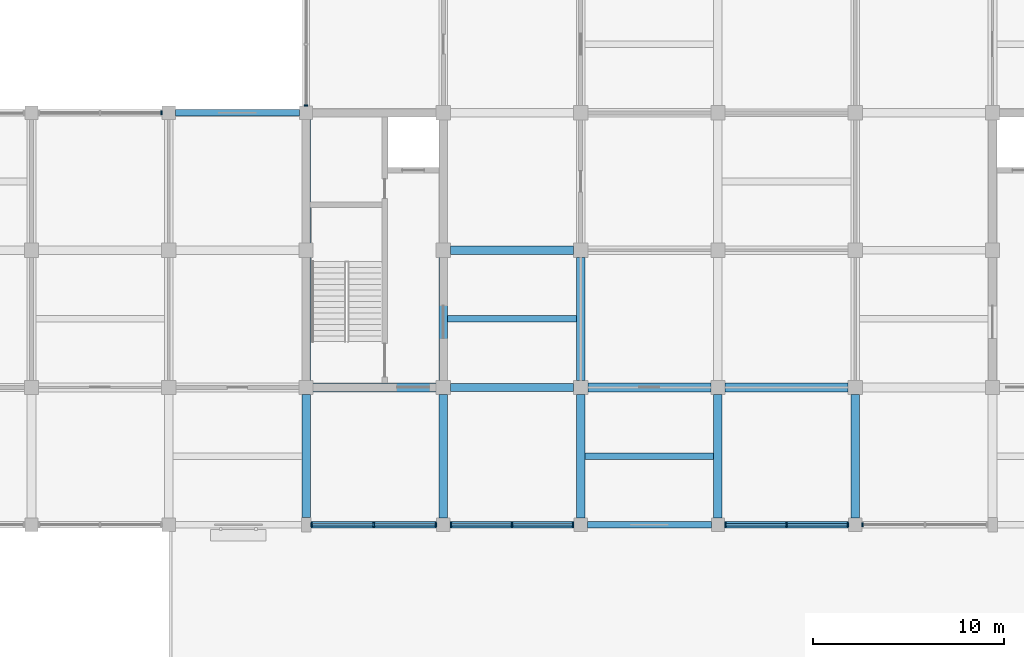
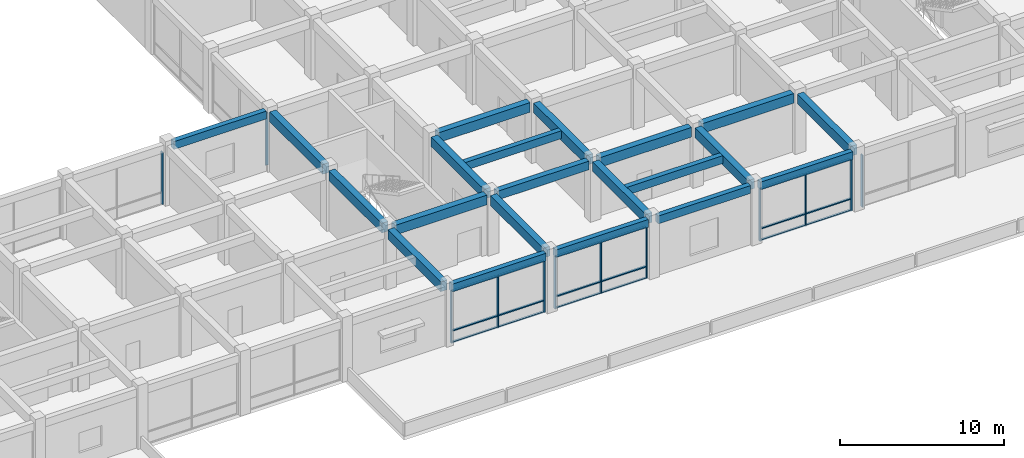
# One storey, part 5 of 30: 30 members, 21 beams, 6 elements without a shape of their own.
"""IFC4 building model written with IfcOpenShell, lengths in metres."""

from ifc_helpers import new_model, si_unit, direction, frame, origin, origin_2d, place, context, subcontext, project, spatial, rectangle, extrude, material, layer, layer_set, material_profile, profile_set, type_object, element, aggregate, save


model = new_model("IFC4")

# Units and contexts
model_context = context("Model", 3, precision=1e-05, world=origin(), true_north=direction((0.0, 1.0)))
body_context = subcontext(model_context, "Body", "Model", "MODEL_VIEW")
ifc_project = project(units=[si_unit("LENGTHUNIT", "METRE"), si_unit("AREAUNIT", "SQUARE_METRE"), si_unit("VOLUMEUNIT", "CUBIC_METRE"), si_unit("PLANEANGLEUNIT", "RADIAN"), si_unit("MASSUNIT", "GRAM", prefix="KILO")], contexts=[model_context])

# Site, building, storey
site_placement = place(None, origin())
site = spatial("IfcSite", under=ifc_project, at=site_placement, CompositionType="ELEMENT")
building_placement = place(site_placement, origin())
building = spatial("IfcBuilding", under=site, at=building_placement, Name="Cendaluz Park School", CompositionType="ELEMENT")
storey_placement = place(building_placement, frame((0.0, 0.0, 9.60009765625)))
storey = spatial("IfcBuildingStorey", under=building, at=storey_placement, Name="L02", CompositionType="ELEMENT", Elevation=9.60009765625)

# Beams
ifc_material_1 = material(Name="Concrete C40/50", Category="concrete")
ifc_material_profile_1 = material_profile(ifc_material_1, rectangle(XDim=0.449951171875, YDim=0.719970703125, at=origin_2d()), Name="RC 450x720", Category="concrete")
ifc_profile_set_1 = profile_set([ifc_material_profile_1], Name="Concrete C40/50")
beam_type_1 = type_object("IfcBeamType", Name="BM-RC02", PredefinedType="BEAM", material=ifc_profile_set_1)
for number, where, z_axis, x_axis, name in (
    (1, (65.175048828125, 14.39990234375, 4.099853515625), (1.0, 0.0, 0.0), (0.0, 1.0, 0.0), "BM-L02-BMRC02-0037"),
    (2, (72.375, 21.60009765625, 4.099853515625), (1.0, 0.0, 0.0), (0.0, 1.0, 0.0), "BM-L02-BMRC02-0046"),
    (3, (79.574951171875, 14.39990234375, 4.099853515625), (1.0, 0.0, 0.0), (0.0, 1.0, 0.0), "BM-L02-BMRC02-0055"),
):
    element("IfcBeam", number, at=place(storey_placement, frame(where, z_axis=z_axis, x_axis=x_axis)), inside=storey, type_object=beam_type_1, Name=name, PredefinedType="BEAM", context=body_context, shape_type="SweptSolid", body=[
        extrude(rectangle(XDim=0.449951171875, YDim=0.719970703125, at=origin_2d()), origin(), (0.0, 0.0, 1.0), 6.449951171875),
    ])
beam_1_placement = place(storey_placement, frame((86.77490234375, 14.39990234375, 4.099853515625), z_axis=(1.0, 0.0, 0.0), x_axis=(0.0, 1.0, 0.0)))
element("IfcBeam", 4, at=beam_1_placement, inside=storey, type_object=beam_type_1, Name="BM-L02-BMRC02-0065", PredefinedType="BEAM", context=body_context, shape_type="SweptSolid", body=[
    extrude(rectangle(XDim=0.449951171875, YDim=0.719970703125, at=origin_2d()), origin(), (0.0, 0.0, 1.0), 6.4501953125),
])
beam_2_placement = place(storey_placement, frame((64.800048828125, 7.574951171875, 4.099853515625), z_axis=(0.0, 1.0, 0.0), x_axis=(-1.0, 0.0, 0.0)))
element("IfcBeam", 5, at=beam_2_placement, inside=storey, type_object=beam_type_1, Name="BM-L02-BMRC02-0154", PredefinedType="BEAM", context=body_context, shape_type="SweptSolid", body=[
    extrude(rectangle(XDim=0.449951171875, YDim=0.719970703125, at=origin_2d()), origin(), (0.0, 0.0, 1.0), 6.449951171875),
])
beam_3_placement = place(storey_placement, frame((64.800048828125, 14.77490234375, 4.099853515625), z_axis=(0.0, 1.0, 0.0), x_axis=(-1.0, 0.0, 0.0)))
element("IfcBeam", 6, at=beam_3_placement, inside=storey, type_object=beam_type_1, Name="BM-L02-BMRC02-0155", PredefinedType="BEAM", context=body_context, shape_type="SweptSolid", body=[
    extrude(rectangle(XDim=0.449951171875, YDim=0.719970703125, at=origin_2d()), origin(), (0.0, 0.0, 1.0), 6.4501953125),
])
for number, where, z_axis, x_axis, name in (
    (7, (64.800048828125, 21.97509765625, 4.099853515625), (0.0, 1.0, 0.0), (-1.0, 0.0, 0.0), "BM-L02-BMRC02-0156"),
    (8, (72.0, 7.550048828125, 4.099853515625), (0.0, 1.0, 0.0), (-1.0, 0.0, 0.0), "BM-L02-BMRC02-0163"),
):
    element("IfcBeam", number, at=place(storey_placement, frame(where, z_axis=z_axis, x_axis=x_axis)), inside=storey, type_object=beam_type_1, Name=name, PredefinedType="BEAM", context=body_context, shape_type="SweptSolid", body=[
        extrude(rectangle(XDim=0.449951171875, YDim=0.719970703125, at=origin_2d()), origin(), (0.0, 0.0, 1.0), 6.474853515625),
    ])
beam_4_placement = place(storey_placement, frame((72.0, 14.77490234375, 4.099853515625), z_axis=(0.0, 1.0, 0.0), x_axis=(-1.0, 0.0, 0.0)))
element("IfcBeam", 9, at=beam_4_placement, inside=storey, type_object=beam_type_1, Name="BM-L02-BMRC02-0164", PredefinedType="BEAM", context=body_context, shape_type="SweptSolid", body=[
    extrude(rectangle(XDim=0.449951171875, YDim=0.719970703125, at=origin_2d()), origin(), (0.0, 0.0, 1.0), 6.4501953125),
])
beam_5_placement = place(storey_placement, frame((79.199951171875, 7.550048828125, 4.099853515625), z_axis=(0.0, 1.0, 0.0), x_axis=(-1.0, 0.0, 0.0)))
element("IfcBeam", 10, at=beam_5_placement, inside=storey, type_object=beam_type_1, Name="BM-L02-BMRC02-0172", PredefinedType="BEAM", context=body_context, shape_type="SweptSolid", body=[
    extrude(rectangle(XDim=0.449951171875, YDim=0.719970703125, at=origin_2d()), origin(), (0.0, 0.0, 1.0), 6.474853515625),
])
beam_6_placement = place(storey_placement, frame((79.199951171875, 14.77490234375, 4.099853515625), z_axis=(0.0, 1.0, 0.0), x_axis=(-1.0, 0.0, 0.0)))
element("IfcBeam", 11, at=beam_6_placement, inside=storey, type_object=beam_type_1, Name="BM-L02-BMRC02-0173", PredefinedType="BEAM", context=body_context, shape_type="SweptSolid", body=[
    extrude(rectangle(XDim=0.449951171875, YDim=0.719970703125, at=origin_2d()), origin(), (0.0, 0.0, 1.0), 6.4501953125),
])
for number, where, z_axis, x_axis, name in (
    (12, (86.39990234375, 7.550048828125, 4.099853515625), (0.0, 1.0, 0.0), (-1.0, 0.0, 0.0), "BM-L02-BMRC02-0181"),
    (13, (93.60009765625, 7.550048828125, 4.099853515625), (0.0, 1.0, 0.0), (-1.0, 0.0, 0.0), "BM-L02-BMRC02-0190"),
):
    element("IfcBeam", number, at=place(storey_placement, frame(where, z_axis=z_axis, x_axis=x_axis)), inside=storey, type_object=beam_type_1, Name=name, PredefinedType="BEAM", context=body_context, shape_type="SweptSolid", body=[
        extrude(rectangle(XDim=0.449951171875, YDim=0.719970703125, at=origin_2d()), origin(), (0.0, 0.0, 1.0), 6.474853515625),
    ])
ifc_material_profile_2 = material_profile(ifc_material_1, rectangle(XDim=0.39990234375, YDim=0.64990234375, at=origin_2d()), Name="RC 400x650", Category="concrete")
ifc_profile_set_2 = profile_set([ifc_material_profile_2], Name="Concrete C40/50")
beam_type_2 = type_object("IfcBeamType", Name="BM-RC03", PredefinedType="T_BEAM", material=ifc_profile_set_2)
beam_7_placement = place(storey_placement, frame((72.375, 14.39990234375, 4.135009765625), z_axis=(1.0, 0.0, 0.0), x_axis=(0.0, 1.0, 0.0)))
element("IfcBeam", 14, at=beam_7_placement, inside=storey, type_object=beam_type_2, Name="BM-L02-BMRC03-0045", PredefinedType="T_BEAM", context=body_context, shape_type="SweptSolid", body=[
    extrude(rectangle(XDim=0.39990234375, YDim=0.64990234375, at=origin_2d()), origin(), (0.0, 0.0, 1.0), 6.449951171875),
])
ifc_material_profile_3 = material_profile(ifc_material_1, rectangle(XDim=0.35009765625, YDim=0.580078125, at=origin_2d()), Name="RC 350x580", Category="concrete")
ifc_profile_set_3 = profile_set([ifc_material_profile_3], Name="Concrete C40/50")
beam_type_3 = type_object("IfcBeamType", Name="BM-RC04", PredefinedType="LINTEL", material=ifc_profile_set_3)
beam_8_placement = place(storey_placement, frame((57.949951171875, 28.800048828125, 4.169921875), z_axis=(1.0, 0.0, 0.0), x_axis=(0.0, 1.0, 0.0)))
element("IfcBeam", 15, at=beam_8_placement, inside=storey, type_object=beam_type_3, Name="BM-L02-BMRC04-0035", PredefinedType="LINTEL", context=body_context, shape_type="SweptSolid", body=[
    extrude(rectangle(XDim=0.35009765625, YDim=0.580078125, at=origin_2d()), origin(), (0.0, 0.0, 1.0), 6.5),
])
beam_9_placement = place(storey_placement, frame((65.050048828125, 7.199951171875, 4.169921875), z_axis=(1.0, 0.0, 0.0), x_axis=(0.0, 1.0, 0.0)))
element("IfcBeam", 16, at=beam_9_placement, inside=storey, type_object=beam_type_3, Name="BM-L02-BMRC04-0036", PredefinedType="LINTEL", context=body_context, shape_type="SweptSolid", body=[
    extrude(rectangle(XDim=0.35009765625, YDim=0.580078125, at=origin_2d()), origin(), (0.0, 0.0, 1.0), 6.599853515625),
])
for number, where, z_axis, x_axis, name in (
    (17, (72.35009765625, 7.199951171875, 4.169921875), (1.0, 0.0, 0.0), (0.0, 1.0, 0.0), "BM-L02-BMRC04-0044"),
    (18, (79.550048828125, 7.199951171875, 4.169921875), (1.0, 0.0, 0.0), (0.0, 1.0, 0.0), "BM-L02-BMRC04-0054"),
    (19, (86.75, 7.199951171875, 4.169921875), (1.0, 0.0, 0.0), (0.0, 1.0, 0.0), "BM-L02-BMRC04-0064"),
):
    element("IfcBeam", number, at=place(storey_placement, frame(where, z_axis=z_axis, x_axis=x_axis)), inside=storey, type_object=beam_type_3, Name=name, PredefinedType="LINTEL", context=body_context, shape_type="SweptSolid", body=[
        extrude(rectangle(XDim=0.35009765625, YDim=0.580078125, at=origin_2d()), origin(), (0.0, 0.0, 1.0), 6.5),
    ])

# Curtain wall, member
ifc_material_2 = material(Name="Anodised Aluminium 6063-T6", Category="aluminium")
ifc_layer_1 = layer(ifc_material_2, 0.179931640625)
ifc_layer_set_1 = layer_set([ifc_layer_1], Name="Anodised Aluminium 6063-T6")
curtain_wall_type_1 = type_object("IfcCurtainWallType", Name="CW-130x78", PredefinedType="NOTDEFINED", material=ifc_layer_set_1)
curtain_wall_1_placement = place(storey_placement, origin())
curtain_wall_1 = element("IfcCurtainWall", 20, at=curtain_wall_1_placement, inside=storey, type_object=curtain_wall_type_1, Name="CW-L02-103", PredefinedType="NOTDEFINED")
ifc_material_profile_4 = material_profile(ifc_material_2, rectangle(XDim=0.199951171875, YDim=0.080078125, at=origin_2d()), Name="CWM 200x80", Category="aluminium")
ifc_profile_set_4 = profile_set([ifc_material_profile_4], Name="Anodised Aluminium 6063-T6")
member_type_1 = type_object("IfcMemberType", Name="CWM-02", PredefinedType="MULLION", material=ifc_profile_set_4)
member_1_placement = place(storey_placement, frame((57.2099609375, 28.800048828125, 0.0), z_axis=(0.0, 0.0, 1.0), x_axis=(0.0, 1.0, 0.0)))
member_1 = element("IfcMember", 21, at=member_1_placement, type_object=member_type_1, Name="CP-L02-1329", PredefinedType="MULLION", context=body_context, shape_type="SweptSolid", body=[
    extrude(rectangle(XDim=0.199951171875, YDim=0.080078125, at=origin_2d()), origin(), (0.0, 0.0, 1.0), 3.8798828125),
])
aggregate(curtain_wall_1, [member_1])

# Curtain wall, members
ifc_layer_2 = layer(ifc_material_2, 0.179931640625)
ifc_layer_set_2 = layer_set([ifc_layer_2], Name="Anodised Aluminium 6063-T6")
curtain_wall_type_2 = type_object("IfcCurtainWallType", Name="CW-132x78", PredefinedType="NOTDEFINED", material=ifc_layer_set_2)
curtain_wall_2_placement = place(storey_placement, origin())
curtain_wall_2 = element("IfcCurtainWall", 22, at=curtain_wall_2_placement, inside=storey, type_object=curtain_wall_type_2, Name="CW-L02-104", PredefinedType="NOTDEFINED")
member_2_placement = place(storey_placement, frame((65.090087890625, 7.199951171875, 0.0), z_axis=(0.0, 0.0, 1.0), x_axis=(0.0, 1.0, 0.0)))
member_2 = element("IfcMember", 23, at=member_2_placement, type_object=member_type_1, Name="CP-L02-1340", PredefinedType="MULLION", context=body_context, shape_type="SweptSolid", body=[
    extrude(rectangle(XDim=0.199951171875, YDim=0.080078125, at=origin_2d()), origin(), (0.0, 0.0, 1.0), 3.8798828125),
])
member_3_placement = place(storey_placement, frame((68.35009765625, 7.199951171875, 0.0), z_axis=(0.0, 0.0, 1.0), x_axis=(0.0, 1.0, 0.0)))
member_3 = element("IfcMember", 24, at=member_3_placement, type_object=member_type_1, Name="CP-L02-1341", PredefinedType="MULLION", context=body_context, shape_type="SweptSolid", body=[
    extrude(rectangle(XDim=0.199951171875, YDim=0.080078125, at=origin_2d()), origin(), (0.0, 0.0, 1.0), 3.8798828125),
])
member_4_placement = place(storey_placement, frame((71.610107421875, 7.199951171875, 0.0), z_axis=(0.0, 0.0, 1.0), x_axis=(0.0, 1.0, 0.0)))
member_4 = element("IfcMember", 25, at=member_4_placement, type_object=member_type_1, Name="CP-L02-1342", PredefinedType="MULLION", context=body_context, shape_type="SweptSolid", body=[
    extrude(rectangle(XDim=0.199951171875, YDim=0.080078125, at=origin_2d()), origin(), (0.0, 0.0, 1.0), 3.8798828125),
])

# Curtain wall, member
curtain_wall_3_placement = place(storey_placement, origin())
curtain_wall_3 = element("IfcCurtainWall", 26, at=curtain_wall_3_placement, inside=storey, type_object=curtain_wall_type_1, Name="CW-L02-105", PredefinedType="NOTDEFINED")
member_5_placement = place(storey_placement, frame((64.800048828125, 29.18994140625, 0.0), z_axis=(0.0, 0.0, 1.0), x_axis=(-1.0, 0.0, 0.0)))
member_5 = element("IfcMember", 27, at=member_5_placement, type_object=member_type_1, Name="CP-L02-1353", PredefinedType="MULLION", context=body_context, shape_type="SweptSolid", body=[
    extrude(rectangle(XDim=0.199951171875, YDim=0.080078125, at=origin_2d()), origin(), (0.0, 0.0, 1.0), 3.8798828125),
])
aggregate(curtain_wall_3, [member_5])

# Curtain wall, members
curtain_wall_4_placement = place(storey_placement, origin())
curtain_wall_4 = element("IfcCurtainWall", 28, at=curtain_wall_4_placement, inside=storey, type_object=curtain_wall_type_1, Name="CW-L02-109", PredefinedType="NOTDEFINED")
member_6_placement = place(storey_placement, frame((72.389892578125, 7.199951171875, 0.0), z_axis=(0.0, 0.0, 1.0), x_axis=(0.0, 1.0, 0.0)))
member_6 = element("IfcMember", 29, at=member_6_placement, type_object=member_type_1, Name="CP-L02-1405", PredefinedType="MULLION", context=body_context, shape_type="SweptSolid", body=[
    extrude(rectangle(XDim=0.199951171875, YDim=0.080078125, at=origin_2d()), origin(), (0.0, 0.0, 1.0), 3.8798828125),
])
member_7_placement = place(storey_placement, frame((75.60009765625, 7.199951171875, 0.0), z_axis=(0.0, 0.0, 1.0), x_axis=(0.0, 1.0, 0.0)))
member_7 = element("IfcMember", 30, at=member_7_placement, type_object=member_type_1, Name="CP-L02-1406", PredefinedType="MULLION", context=body_context, shape_type="SweptSolid", body=[
    extrude(rectangle(XDim=0.199951171875, YDim=0.080078125, at=origin_2d()), origin(), (0.0, 0.0, 1.0), 3.8798828125),
])
member_8_placement = place(storey_placement, frame((78.81005859375, 7.199951171875, 0.0), z_axis=(0.0, 0.0, 1.0), x_axis=(0.0, 1.0, 0.0)))
member_8 = element("IfcMember", 31, at=member_8_placement, type_object=member_type_1, Name="CP-L02-1407", PredefinedType="MULLION", context=body_context, shape_type="SweptSolid", body=[
    extrude(rectangle(XDim=0.199951171875, YDim=0.080078125, at=origin_2d()), origin(), (0.0, 0.0, 1.0), 3.8798828125),
])

curtain_wall_5_placement = place(storey_placement, origin())
curtain_wall_5 = element("IfcCurtainWall", 32, at=curtain_wall_5_placement, inside=storey, type_object=curtain_wall_type_1, Name="CW-L02-111", PredefinedType="NOTDEFINED")
member_9_placement = place(storey_placement, frame((86.7900390625, 7.199951171875, 0.0), z_axis=(0.0, 0.0, 1.0), x_axis=(0.0, 1.0, 0.0)))
member_9 = element("IfcMember", 33, at=member_9_placement, type_object=member_type_1, Name="CP-L02-1431", PredefinedType="MULLION", context=body_context, shape_type="SweptSolid", body=[
    extrude(rectangle(XDim=0.199951171875, YDim=0.080078125, at=origin_2d()), origin(), (0.0, 0.0, 1.0), 3.8798828125),
])
member_10_placement = place(storey_placement, frame((90.0, 7.199951171875, 0.0), z_axis=(0.0, 0.0, 1.0), x_axis=(0.0, 1.0, 0.0)))
member_10 = element("IfcMember", 34, at=member_10_placement, type_object=member_type_1, Name="CP-L02-1432", PredefinedType="MULLION", context=body_context, shape_type="SweptSolid", body=[
    extrude(rectangle(XDim=0.199951171875, YDim=0.080078125, at=origin_2d()), origin(), (0.0, 0.0, 1.0), 3.8798828125),
])
member_11_placement = place(storey_placement, frame((93.2099609375, 7.199951171875, 0.0), z_axis=(0.0, 0.0, 1.0), x_axis=(0.0, 1.0, 0.0)))
member_11 = element("IfcMember", 35, at=member_11_placement, type_object=member_type_1, Name="CP-L02-1433", PredefinedType="MULLION", context=body_context, shape_type="SweptSolid", body=[
    extrude(rectangle(XDim=0.199951171875, YDim=0.080078125, at=origin_2d()), origin(), (0.0, 0.0, 1.0), 3.8798828125),
])

# Curtain wall, member
curtain_wall_6_placement = place(storey_placement, origin())
curtain_wall_6 = element("IfcCurtainWall", 36, at=curtain_wall_6_placement, inside=storey, type_object=curtain_wall_type_2, Name="CW-L02-113", PredefinedType="NOTDEFINED")
member_12_placement = place(storey_placement, frame((93.989990234375, 7.199951171875, 0.0), z_axis=(0.0, 0.0, 1.0), x_axis=(0.0, 1.0, 0.0)))
member_12 = element("IfcMember", 37, at=member_12_placement, type_object=member_type_1, Name="CP-L02-1457", PredefinedType="MULLION", context=body_context, shape_type="SweptSolid", body=[
    extrude(rectangle(XDim=0.199951171875, YDim=0.080078125, at=origin_2d()), origin(), (0.0, 0.0, 1.0), 3.8798828125),
])
aggregate(curtain_wall_6, [member_12])

# Member
ifc_material_profile_5 = material_profile(ifc_material_2, rectangle(XDim=0.14990234375, YDim=0.080078125, at=origin_2d()), Name="CWT 150x80", Category="aluminium")
ifc_profile_set_5 = profile_set([ifc_material_profile_5], Name="Anodised Aluminium 6063-T6")
member_type_2 = type_object("IfcMemberType", Name="CWT-02", PredefinedType="USERDEFINED", material=ifc_profile_set_5)
member_13_placement = place(storey_placement, frame((65.1298828125, 7.199951171875, 0.039794921875), z_axis=(1.0, 0.0, 0.0), x_axis=(0.0, 1.0, 0.0)))
member_13 = element("IfcMember", 38, at=member_13_placement, type_object=member_type_2, Name="CP-L02-1343", ObjectType="TRANSOM", PredefinedType="USERDEFINED", context=body_context, shape_type="SweptSolid", body=[
    extrude(rectangle(XDim=0.14990234375, YDim=0.080078125, at=origin_2d()), origin(), (0.0, 0.0, 1.0), 3.18017578125),
])

member_14_placement = place(storey_placement, frame((65.1298828125, 7.199951171875, 0.89990234375), z_axis=(1.0, 0.0, 0.0), x_axis=(0.0, 1.0, 0.0)))
member_14 = element("IfcMember", 39, at=member_14_placement, type_object=member_type_2, Name="CP-L02-1344", ObjectType="TRANSOM", PredefinedType="USERDEFINED", context=body_context, shape_type="SweptSolid", body=[
    extrude(rectangle(XDim=0.14990234375, YDim=0.080078125, at=origin_2d()), origin(), (0.0, 0.0, 1.0), 3.18017578125),
])

member_15_placement = place(storey_placement, frame((65.1298828125, 7.199951171875, 3.83984375), z_axis=(1.0, 0.0, 0.0), x_axis=(0.0, 1.0, 0.0)))
member_15 = element("IfcMember", 40, at=member_15_placement, type_object=member_type_2, Name="CP-L02-1345", ObjectType="TRANSOM", PredefinedType="USERDEFINED", context=body_context, shape_type="SweptSolid", body=[
    extrude(rectangle(XDim=0.14990234375, YDim=0.080078125, at=origin_2d()), origin(), (0.0, 0.0, 1.0), 3.18017578125),
])

member_16_placement = place(storey_placement, frame((68.389892578125, 7.199951171875, 0.039794921875), z_axis=(1.0, 0.0, 0.0), x_axis=(0.0, 1.0, 0.0)))
member_16 = element("IfcMember", 41, at=member_16_placement, type_object=member_type_2, Name="CP-L02-1348", ObjectType="TRANSOM", PredefinedType="USERDEFINED", context=body_context, shape_type="SweptSolid", body=[
    extrude(rectangle(XDim=0.14990234375, YDim=0.080078125, at=origin_2d()), origin(), (0.0, 0.0, 1.0), 3.18017578125),
])

member_17_placement = place(storey_placement, frame((68.389892578125, 7.199951171875, 0.89990234375), z_axis=(1.0, 0.0, 0.0), x_axis=(0.0, 1.0, 0.0)))
member_17 = element("IfcMember", 42, at=member_17_placement, type_object=member_type_2, Name="CP-L02-1349", ObjectType="TRANSOM", PredefinedType="USERDEFINED", context=body_context, shape_type="SweptSolid", body=[
    extrude(rectangle(XDim=0.14990234375, YDim=0.080078125, at=origin_2d()), origin(), (0.0, 0.0, 1.0), 3.18017578125),
])

member_18_placement = place(storey_placement, frame((68.389892578125, 7.199951171875, 3.83984375), z_axis=(1.0, 0.0, 0.0), x_axis=(0.0, 1.0, 0.0)))
member_18 = element("IfcMember", 43, at=member_18_placement, type_object=member_type_2, Name="CP-L02-1350", ObjectType="TRANSOM", PredefinedType="USERDEFINED", context=body_context, shape_type="SweptSolid", body=[
    extrude(rectangle(XDim=0.14990234375, YDim=0.080078125, at=origin_2d()), origin(), (0.0, 0.0, 1.0), 3.18017578125),
])

aggregate(curtain_wall_2, [member_2, member_3, member_4, member_13, member_14, member_15, member_16, member_17, member_18])

member_19_placement = place(storey_placement, frame((72.429931640625, 7.199951171875, 0.039794921875), z_axis=(1.0, 0.0, 0.0), x_axis=(0.0, 1.0, 0.0)))
member_19 = element("IfcMember", 44, at=member_19_placement, type_object=member_type_2, Name="CP-L02-1408", ObjectType="TRANSOM", PredefinedType="USERDEFINED", context=body_context, shape_type="SweptSolid", body=[
    extrude(rectangle(XDim=0.14990234375, YDim=0.080078125, at=origin_2d()), origin(), (0.0, 0.0, 1.0), 3.130126953125),
])

member_20_placement = place(storey_placement, frame((72.429931640625, 7.199951171875, 0.89990234375), z_axis=(1.0, 0.0, 0.0), x_axis=(0.0, 1.0, 0.0)))
member_20 = element("IfcMember", 45, at=member_20_placement, type_object=member_type_2, Name="CP-L02-1409", ObjectType="TRANSOM", PredefinedType="USERDEFINED", context=body_context, shape_type="SweptSolid", body=[
    extrude(rectangle(XDim=0.14990234375, YDim=0.080078125, at=origin_2d()), origin(), (0.0, 0.0, 1.0), 3.130126953125),
])

member_21_placement = place(storey_placement, frame((72.429931640625, 7.199951171875, 3.83984375), z_axis=(1.0, 0.0, 0.0), x_axis=(0.0, 1.0, 0.0)))
member_21 = element("IfcMember", 46, at=member_21_placement, type_object=member_type_2, Name="CP-L02-1410", ObjectType="TRANSOM", PredefinedType="USERDEFINED", context=body_context, shape_type="SweptSolid", body=[
    extrude(rectangle(XDim=0.14990234375, YDim=0.080078125, at=origin_2d()), origin(), (0.0, 0.0, 1.0), 3.130126953125),
])

member_22_placement = place(storey_placement, frame((75.639892578125, 7.199951171875, 0.039794921875), z_axis=(1.0, 0.0, 0.0), x_axis=(0.0, 1.0, 0.0)))
member_22 = element("IfcMember", 47, at=member_22_placement, type_object=member_type_2, Name="CP-L02-1413", ObjectType="TRANSOM", PredefinedType="USERDEFINED", context=body_context, shape_type="SweptSolid", body=[
    extrude(rectangle(XDim=0.14990234375, YDim=0.080078125, at=origin_2d()), origin(), (0.0, 0.0, 1.0), 3.130126953125),
])

member_23_placement = place(storey_placement, frame((75.639892578125, 7.199951171875, 0.89990234375), z_axis=(1.0, 0.0, 0.0), x_axis=(0.0, 1.0, 0.0)))
member_23 = element("IfcMember", 48, at=member_23_placement, type_object=member_type_2, Name="CP-L02-1414", ObjectType="TRANSOM", PredefinedType="USERDEFINED", context=body_context, shape_type="SweptSolid", body=[
    extrude(rectangle(XDim=0.14990234375, YDim=0.080078125, at=origin_2d()), origin(), (0.0, 0.0, 1.0), 3.130126953125),
])

member_24_placement = place(storey_placement, frame((75.639892578125, 7.199951171875, 3.83984375), z_axis=(1.0, 0.0, 0.0), x_axis=(0.0, 1.0, 0.0)))
member_24 = element("IfcMember", 49, at=member_24_placement, type_object=member_type_2, Name="CP-L02-1415", ObjectType="TRANSOM", PredefinedType="USERDEFINED", context=body_context, shape_type="SweptSolid", body=[
    extrude(rectangle(XDim=0.14990234375, YDim=0.080078125, at=origin_2d()), origin(), (0.0, 0.0, 1.0), 3.130126953125),
])

aggregate(curtain_wall_4, [member_6, member_7, member_8, member_19, member_20, member_21, member_22, member_23, member_24])

member_25_placement = place(storey_placement, frame((86.830078125, 7.199951171875, 0.039794921875), z_axis=(1.0, 0.0, 0.0), x_axis=(0.0, 1.0, 0.0)))
member_25 = element("IfcMember", 50, at=member_25_placement, type_object=member_type_2, Name="CP-L02-1434", ObjectType="TRANSOM", PredefinedType="USERDEFINED", context=body_context, shape_type="SweptSolid", body=[
    extrude(rectangle(XDim=0.14990234375, YDim=0.080078125, at=origin_2d()), origin(), (0.0, 0.0, 1.0), 3.1298828125),
])

member_26_placement = place(storey_placement, frame((86.830078125, 7.199951171875, 0.89990234375), z_axis=(1.0, 0.0, 0.0), x_axis=(0.0, 1.0, 0.0)))
member_26 = element("IfcMember", 51, at=member_26_placement, type_object=member_type_2, Name="CP-L02-1435", ObjectType="TRANSOM", PredefinedType="USERDEFINED", context=body_context, shape_type="SweptSolid", body=[
    extrude(rectangle(XDim=0.14990234375, YDim=0.080078125, at=origin_2d()), origin(), (0.0, 0.0, 1.0), 3.1298828125),
])

member_27_placement = place(storey_placement, frame((86.830078125, 7.199951171875, 3.83984375), z_axis=(1.0, 0.0, 0.0), x_axis=(0.0, 1.0, 0.0)))
member_27 = element("IfcMember", 52, at=member_27_placement, type_object=member_type_2, Name="CP-L02-1436", ObjectType="TRANSOM", PredefinedType="USERDEFINED", context=body_context, shape_type="SweptSolid", body=[
    extrude(rectangle(XDim=0.14990234375, YDim=0.080078125, at=origin_2d()), origin(), (0.0, 0.0, 1.0), 3.1298828125),
])

member_28_placement = place(storey_placement, frame((90.0400390625, 7.199951171875, 0.039794921875), z_axis=(1.0, 0.0, 0.0), x_axis=(0.0, 1.0, 0.0)))
member_28 = element("IfcMember", 53, at=member_28_placement, type_object=member_type_2, Name="CP-L02-1439", ObjectType="TRANSOM", PredefinedType="USERDEFINED", context=body_context, shape_type="SweptSolid", body=[
    extrude(rectangle(XDim=0.14990234375, YDim=0.080078125, at=origin_2d()), origin(), (0.0, 0.0, 1.0), 3.1298828125),
])

member_29_placement = place(storey_placement, frame((90.0400390625, 7.199951171875, 0.89990234375), z_axis=(1.0, 0.0, 0.0), x_axis=(0.0, 1.0, 0.0)))
member_29 = element("IfcMember", 54, at=member_29_placement, type_object=member_type_2, Name="CP-L02-1440", ObjectType="TRANSOM", PredefinedType="USERDEFINED", context=body_context, shape_type="SweptSolid", body=[
    extrude(rectangle(XDim=0.14990234375, YDim=0.080078125, at=origin_2d()), origin(), (0.0, 0.0, 1.0), 3.1298828125),
])

member_30_placement = place(storey_placement, frame((90.0400390625, 7.199951171875, 3.83984375), z_axis=(1.0, 0.0, 0.0), x_axis=(0.0, 1.0, 0.0)))
member_30 = element("IfcMember", 55, at=member_30_placement, type_object=member_type_2, Name="CP-L02-1441", ObjectType="TRANSOM", PredefinedType="USERDEFINED", context=body_context, shape_type="SweptSolid", body=[
    extrude(rectangle(XDim=0.14990234375, YDim=0.080078125, at=origin_2d()), origin(), (0.0, 0.0, 1.0), 3.1298828125),
])

aggregate(curtain_wall_5, [member_9, member_10, member_11, member_25, member_26, member_27, member_28, member_29, member_30])

# Beams
ifc_material_profile_6 = material_profile(ifc_material_1, rectangle(XDim=0.35009765625, YDim=0.580078125, at=origin_2d()), Name="RC 350x580", Category="concrete")
ifc_profile_set_6 = profile_set([ifc_material_profile_6], Name="Concrete C40/50")
beam_type_4 = type_object("IfcBeamType", Name="JT-RC01", PredefinedType="JOIST", material=ifc_profile_set_6)
for number, where, z_axis, x_axis, name in (
    (56, (72.22509765625, 18.0, 4.169921875), (1.0, 0.0, 0.0), (0.0, 1.0, 0.0), "BM-L02-JTRC01-0254"),
    (57, (79.425048828125, 10.800048828125, 4.169921875), (1.0, 0.0, 0.0), (0.0, 1.0, 0.0), "BM-L02-JTRC01-0257"),
):
    element("IfcBeam", number, at=place(storey_placement, frame(where, z_axis=z_axis, x_axis=x_axis)), inside=storey, type_object=beam_type_4, Name=name, PredefinedType="JOIST", context=body_context, shape_type="SweptSolid", body=[
        extrude(rectangle(XDim=0.35009765625, YDim=0.580078125, at=origin_2d()), origin(), (0.0, 0.0, 1.0), 6.75),
    ])

save(model, "model.ifc")
